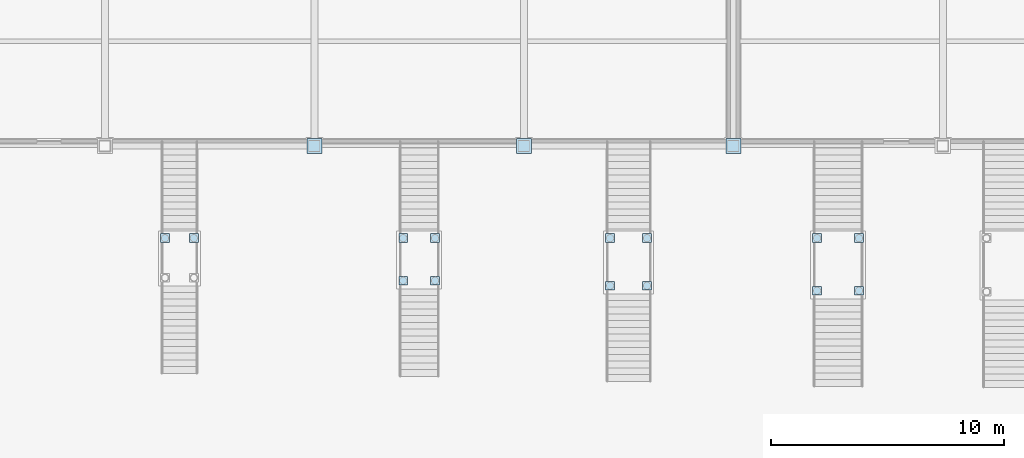
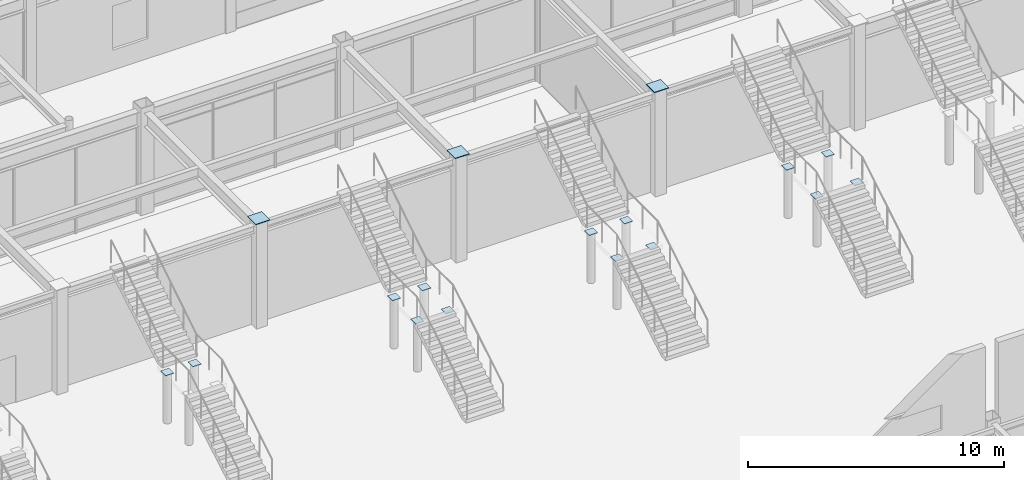
# One storey, part 78 of 123: 17 plates.
"""IFC4 building model written with IfcOpenShell, lengths in metres."""

from ifc_helpers import new_model, si_unit, direction, frame, origin, origin_2d, place, context, subcontext, project, spatial, rectangle, extrude, material, layer, layer_set, type_object, element, save


model = new_model("IFC4")

# Units and contexts
model_context = context("Model", 3, precision=1e-05, world=origin(), true_north=direction((0.0, 1.0)))
body_context = subcontext(model_context, "Body", "Model", "MODEL_VIEW")
ifc_project = project(units=[si_unit("LENGTHUNIT", "METRE"), si_unit("AREAUNIT", "SQUARE_METRE"), si_unit("VOLUMEUNIT", "CUBIC_METRE"), si_unit("PLANEANGLEUNIT", "RADIAN"), si_unit("MASSUNIT", "GRAM", prefix="KILO")], contexts=[model_context])

# Site, building, storey
site_placement = place(None, origin())
site = spatial("IfcSite", under=ifc_project, at=site_placement, CompositionType="ELEMENT")
building_placement = place(site_placement, origin())
building = spatial("IfcBuilding", under=site, at=building_placement, Name="Suzunagisa Mobility Hub", CompositionType="ELEMENT")
storey_placement = place(building_placement, origin())
storey = spatial("IfcBuildingStorey", under=building, at=storey_placement, Name="L00", CompositionType="ELEMENT", Elevation=0.0)

# Plates
ifc_material = material(Name="Steel SN490B", Category="steel")
ifc_layer_1 = layer(ifc_material, 0.02392578125)
ifc_layer_set_1 = layer_set([ifc_layer_1], Name="Steel SN490B")
plate_type_1 = type_object("IfcPlateType", Name="Structural Steel Plate SP-03 380x380x24", PredefinedType="USERDEFINED", material=ifc_layer_set_1)
for number, where, z_axis, x_axis, name in (
    (1, (65.580078125, 58.0400390625, 2.35009765625), (0.0, 0.0, 1.0), (1.0, 0.0, 0.0), "Concourse Stair Post Cap CSC-02-3"),
    (2, (66.820068359375, 58.0400390625, 2.35009765625), (0.0, 0.0, 1.0), (1.0, 0.0, 0.0), "Concourse Stair Post Cap CSC-02-4"),
    (3, (75.81591796875, 56.2119140625, 2.35009765625), (0.0, 0.0, 1.0), (1.0, 0.0, 0.0), "Concourse Stair Post Cap CSC-03-1"),
    (4, (77.18408203125, 56.2119140625, 2.35009765625), (0.0, 0.0, 1.0), (1.0, 0.0, 0.0), "Concourse Stair Post Cap CSC-03-2"),
    (5, (75.81591796875, 58.0400390625, 2.35009765625), (0.0, 0.0, 1.0), (1.0, 0.0, 0.0), "Concourse Stair Post Cap CSC-03-3"),
    (6, (77.18408203125, 58.0400390625, 2.35009765625), (0.0, 0.0, 1.0), (1.0, 0.0, 0.0), "Concourse Stair Post Cap CSC-03-4"),
    (7, (84.7080078125, 55.99609375, 2.35009765625), (0.0, 0.0, 1.0), (1.0, 0.0, 0.0), "Concourse Stair Post Cap CSC-04-1"),
    (8, (86.2919921875, 55.99609375, 2.35009765625), (0.0, 0.0, 1.0), (1.0, 0.0, 0.0), "Concourse Stair Post Cap CSC-04-2"),
    (9, (84.7080078125, 58.0400390625, 2.35009765625), (0.0, 0.0, 1.0), (1.0, 0.0, 0.0), "Concourse Stair Post Cap CSC-04-3"),
    (10, (86.2919921875, 58.0400390625, 2.35009765625), (0.0, 0.0, 1.0), (1.0, 0.0, 0.0), "Concourse Stair Post Cap CSC-04-4"),
    (11, (93.60009765625, 55.780029296875, 2.35009765625), (0.0, 0.0, 1.0), (1.0, 0.0, 0.0), "Concourse Stair Post Cap CSC-05-1"),
    (12, (95.39990234375, 55.780029296875, 2.35009765625), (0.0, 0.0, 1.0), (1.0, 0.0, 0.0), "Concourse Stair Post Cap CSC-05-2"),
    (13, (93.60009765625, 58.0400390625, 2.35009765625), (0.0, 0.0, 1.0), (1.0, 0.0, 0.0), "Concourse Stair Post Cap CSC-05-3"),
    (14, (95.39990234375, 58.0400390625, 2.35009765625), (0.0, 0.0, 1.0), (1.0, 0.0, 0.0), "Concourse Stair Post Cap CSC-05-4"),
):
    element("IfcPlate", number, at=place(storey_placement, frame(where, z_axis=z_axis, x_axis=x_axis)), inside=storey, type_object=plate_type_1, Name=name, ObjectType="BASE PLATE", PredefinedType="USERDEFINED", context=body_context, shape_type="SweptSolid", body=[
        extrude(rectangle(XDim=0.3798828125, YDim=0.3798828125, at=origin_2d()), origin(), (0.0, 0.0, 1.0), 0.02392578125),
    ])
ifc_layer_2 = layer(ifc_material, 0.031982421875)
ifc_layer_set_2 = layer_set([ifc_layer_2], Name="Steel SN490B")
plate_type_2 = type_object("IfcPlateType", Name="Structural Steel Plate SP-05 650x650x32", PredefinedType="USERDEFINED", material=ifc_layer_set_2)
for number, where, z_axis, x_axis, name in (
    (15, (72.0, 62.0, 5.0400390625), (0.0, 0.0, 1.0), (1.0, 0.0, 0.0), "L00 Column Cap Plate CP-152"),
    (16, (81.0, 62.0, 5.0400390625), (0.0, 0.0, 1.0), (1.0, 0.0, 0.0), "L00 Column Cap Plate CP-168"),
    (17, (90.0, 62.0, 5.0400390625), (0.0, 0.0, 1.0), (1.0, 0.0, 0.0), "L00 Column Cap Plate CP-184"),
):
    element("IfcPlate", number, at=place(storey_placement, frame(where, z_axis=z_axis, x_axis=x_axis)), inside=storey, type_object=plate_type_2, Name=name, ObjectType="BASE PLATE", PredefinedType="USERDEFINED", context=body_context, shape_type="SweptSolid", body=[
        extrude(rectangle(XDim=0.64990234375, YDim=0.64990234375, at=origin_2d()), origin(), (0.0, 0.0, 1.0), 0.031982421875),
    ])

save(model, "model.ifc")
